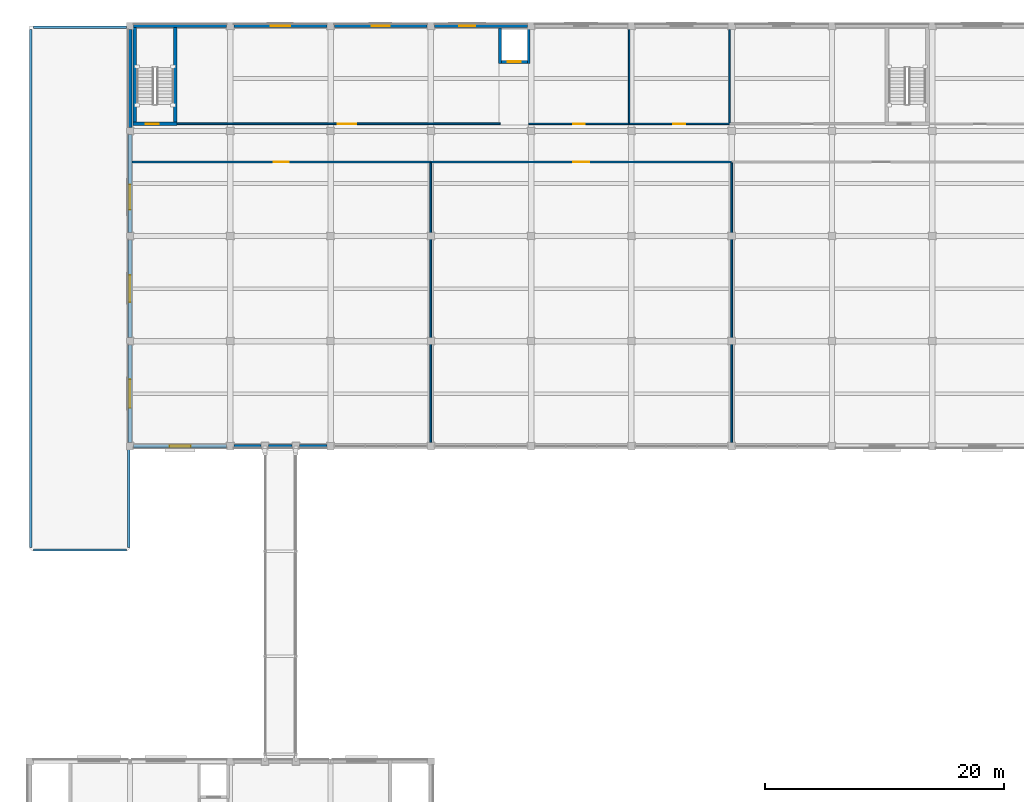
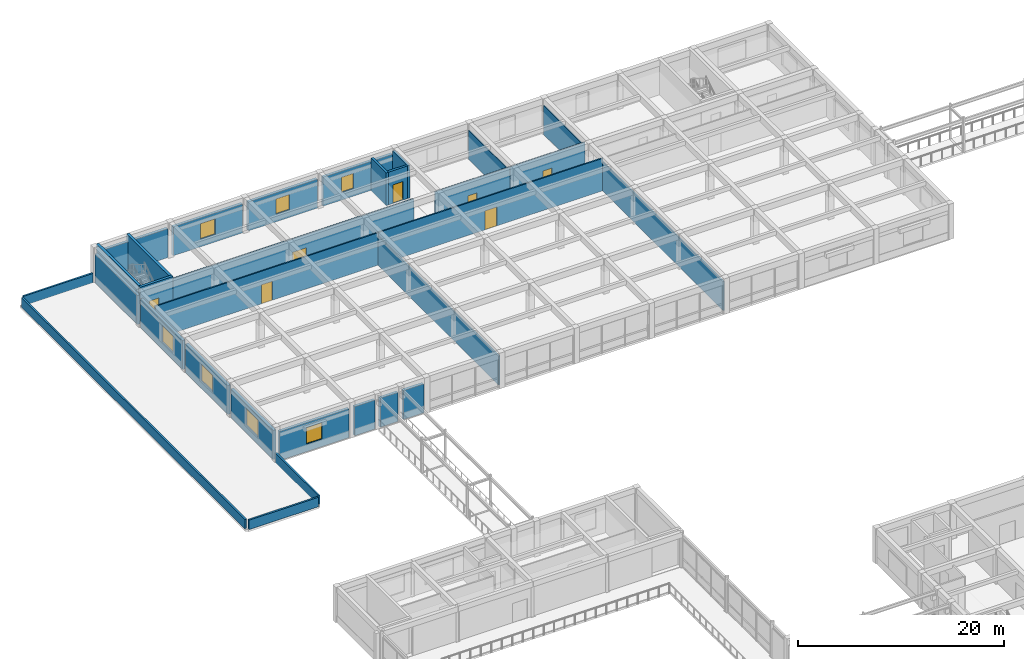
# One storey, part 36 of 57: 31 walls, 7 doors, 7 windows, 14 openings.
"""IFC4 building model written with IfcOpenShell, lengths in metres."""

from ifc_helpers import new_model, si_unit, direction, frame, frame_2d, origin, place, context, subcontext, project, spatial, rectangle, extrude, material, layer, layer_set, type_object, element, fill, save


model = new_model("IFC4")

# Units and contexts
model_context = context("Model", 3, precision=1e-05, world=origin(), true_north=direction((0.0, 1.0)))
body_context = subcontext(model_context, "Body", "Model", "MODEL_VIEW")
ifc_project = project(units=[si_unit("LENGTHUNIT", "METRE"), si_unit("AREAUNIT", "SQUARE_METRE"), si_unit("VOLUMEUNIT", "CUBIC_METRE"), si_unit("PLANEANGLEUNIT", "RADIAN"), si_unit("MASSUNIT", "GRAM", prefix="KILO")], contexts=[model_context])

# Site, building, storey
site_placement = place(None, origin())
site = spatial("IfcSite", under=ifc_project, at=site_placement, CompositionType="ELEMENT")
building_placement = place(site_placement, origin())
building = spatial("IfcBuilding", under=site, at=building_placement, Name="Kemercrest Conservatory and Botanical Centre", CompositionType="ELEMENT")
storey_placement = place(building_placement, frame((0.0, 0.0, 4.800048828125)))
storey = spatial("IfcBuildingStorey", under=building, at=storey_placement, Name="L01", CompositionType="ELEMENT", Elevation=4.800048828125)

# Wall
ifc_material_1 = material(Name="Precast concrete C40/50", Category="concrete")
ifc_layer_1 = layer(ifc_material_1, 0.300048828125)
ifc_layer_set_1 = layer_set([ifc_layer_1], Name="Precast concrete C40/50")
wall_type_1 = type_object("IfcWallType", Name="CW-EXT300", PredefinedType="SHEAR", material=ifc_layer_set_1)
wall_1_placement = place(storey_placement, frame((24.489990234375, 122.39990234375, 0.0), z_axis=(0.0, 0.0, 1.0), x_axis=(-1.0, 0.0, 0.0)))
element("IfcWall", 1, at=wall_1_placement, inside=storey, type_object=wall_type_1, Name="Exterior stair-core shear wall CW-EXT300 (WAL:L01:EXT-112)", PredefinedType="SHEAR", context=body_context, shape_type="SweptSolid", body=[
    extrude(rectangle(XDim=7.780029296875, YDim=0.300048828125, at=frame_2d((3.89013671875, 0.0))), origin(), (0.0, 0.0, 1.0), 3.449951171875),
])

# Wall, opening, door
ifc_material_2 = material(Name="Concrete C50/60", Category="concrete")
ifc_layer_2 = layer(ifc_material_2, 0.300048828125)
ifc_layer_set_2 = layer_set([ifc_layer_2], Name="Concrete C50/60")
wall_type_2 = type_object("IfcWallType", Name="CW-STAIR", PredefinedType="SHEAR", material=ifc_layer_set_2)
wall_2_placement = place(storey_placement, frame((16.64990234375, 114.199951171875, 0.0), z_axis=(0.0, 0.0, 1.0), x_axis=(1.0, 0.0, 0.0)))
wall_2 = element("IfcWall", 2, at=wall_2_placement, inside=storey, type_object=wall_type_2, Name="Stair core ST-V3A shear wall S", PredefinedType="SHEAR", context=body_context, shape_type="SweptSolid", body=[
    extrude(rectangle(XDim=3.7001953125, YDim=0.300048828125, at=frame_2d((1.85009765625, 0.0))), origin(), (0.0, 0.0, 1.0), 4.199951171875),
])
opening_1_placement = place(wall_2_placement, frame((1.050048828125, 0.0, 0.0)))
opening_1 = element("IfcOpeningElement", 3, at=opening_1_placement, cuts=wall_2, Name="Opening D017", PredefinedType="OPENING", context=body_context, shape_type="SweptSolid", body=[
    extrude(rectangle(XDim=1.10009765625, YDim=2.199951171875, at=frame_2d((0.550048828125, 1.10009765625))), frame((0.0, 0.16015625, 0.0), z_axis=(0.0, -1.0, 0.0), x_axis=(1.0, 0.0, 0.0)), (0.0, 0.0, 1.0), 0.320068359375),
])
ifc_material_3 = material(Name="Powder-coated galvanized steel and fire-rated vision glass", Category="steel")
door_type_1 = type_object("IfcDoorType", Name="DT-FD90", OperationType="NOTDEFINED", PredefinedType="DOOR", material=ifc_material_3)
door_1_placement = place(opening_1_placement, origin())
door_1 = element("IfcDoor", 4, at=door_1_placement, inside=storey, type_object=door_type_1, Name="Exit stair ST-V3A fire door D017", OperationType="SINGLE_SWING_LEFT", OverallHeight=2.199951171875, OverallWidth=1.10009765625, PredefinedType="DOOR", context=body_context, shape_type="SweptSolid", body=[
    extrude(rectangle(XDim=1.10009765625, YDim=2.199951171875, at=frame_2d((0.550048828125, 1.10009765625))), frame((0.0, 0.02490234375, 0.0), z_axis=(0.0, -1.0, 0.0), x_axis=(1.0, 0.0, 0.0)), (0.0, 0.0, 1.0), 0.050048828125),
])
fill(opening_1, door_1)

# Walls
for number, where, z_axis, x_axis, name in (
    (5, (16.800048828125, 114.050048828125, 0.0), (0.0, 0.0, 1.0), (0.0, 1.0, 0.0), "Stair core ST-V3A shear wall W"),
    (6, (20.199951171875, 114.050048828125, 0.0), (0.0, 0.0, 1.0), (0.0, 1.0, 0.0), "Stair core ST-V3A shear wall E"),
):
    element("IfcWall", number, at=place(storey_placement, frame(where, z_axis=z_axis, x_axis=x_axis)), inside=storey, type_object=wall_type_2, Name=name, PredefinedType="SHEAR", context=body_context, shape_type="SweptSolid", body=[
        extrude(rectangle(XDim=8.5, YDim=0.300048828125, at=frame_2d((4.25, 0.0))), origin(), (0.0, 0.0, 1.0), 4.199951171875),
    ])

# Wall, opening, window
ifc_layer_3 = layer(ifc_material_1, 0.300048828125)
ifc_layer_set_3 = layer_set([ifc_layer_3], Name="Precast concrete C40/50")
wall_type_3 = type_object("IfcWallType", Name="W-EXT300", PredefinedType="SOLIDWALL", material=ifc_layer_set_3)
wall_3_placement = place(storey_placement, frame((16.7099609375, 87.199951171875, 0.0), z_axis=(0.0, 0.0, 1.0), x_axis=(1.0, 0.0, 0.0)))
wall_3 = element("IfcWall", 7, at=wall_3_placement, inside=storey, type_object=wall_type_3, Name="Exterior almasik wall W-EXT300 (WAL:L01:EXT-096)", PredefinedType="SOLIDWALL", context=body_context, shape_type="SweptSolid", body=[
    extrude(rectangle(XDim=7.780029296875, YDim=0.300048828125, at=frame_2d((3.89013671875, 0.0))), origin(), (0.0, 0.0, 1.0), 3.449951171875),
])
opening_2_placement = place(wall_3_placement, frame((3.010009765625, 0.0, 0.89990234375)))
opening_2 = element("IfcOpeningElement", 8, at=opening_2_placement, cuts=wall_3, Name="Opening WT-49", PredefinedType="OPENING", context=body_context, shape_type="SweptSolid", body=[
    extrude(rectangle(XDim=1.760009765625, YDim=1.93994140625, at=frame_2d((0.8798828125, 0.969970703125))), frame((0.0, 0.16015625, 0.0), z_axis=(0.0, -1.0, 0.0), x_axis=(1.0, 0.0, 0.0)), (0.0, 0.0, 1.0), 0.320068359375),
])
ifc_material_4 = material(Name="Thermally broken bronze-anodized aluminium and triple glazing", Category="aluminium")
window_type_1 = type_object("IfcWindowType", Name="WT-49", PartitioningType="SINGLE_PANEL", PredefinedType="WINDOW", material=ifc_material_4)
window_1_placement = place(opening_2_placement, origin())
window_1 = element("IfcWindow", 9, at=window_1_placement, inside=storey, type_object=window_type_1, Name="Exterior window WT-49 (WIN:L01:EXT-096)", OverallHeight=1.93994140625, OverallWidth=1.760009765625, PartitioningType="SINGLE_PANEL", PredefinedType="WINDOW", context=body_context, shape_type="SweptSolid", body=[
    extrude(rectangle(XDim=1.760009765625, YDim=1.93994140625, at=frame_2d((0.8798828125, 0.969970703125))), frame((0.0, 0.030029296875, 0.0), z_axis=(0.0, -1.0, 0.0), x_axis=(1.0, 0.0, 0.0)), (0.0, 0.0, 1.0), 0.06005859375),
])
fill(opening_2, window_1)

# Walls
wall_4_placement = place(storey_placement, frame((25.110107421875, 87.199951171875, 0.0), z_axis=(0.0, 0.0, 1.0), x_axis=(1.0, 0.0, 0.0)))
element("IfcWall", 10, at=wall_4_placement, inside=storey, type_object=wall_type_3, Name="Exterior almasik wall W-EXT300 (WAL:L01:EXT-097-S1)", PredefinedType="SOLIDWALL", context=body_context, shape_type="SweptSolid", body=[
    extrude(rectangle(XDim=2.27978515625, YDim=0.300048828125, at=frame_2d((1.139892578125, 0.0))), origin(), (0.0, 0.0, 1.0), 3.449951171875),
])
wall_5_placement = place(storey_placement, frame((28.010009765625, 87.199951171875, 0.0), z_axis=(0.0, 0.0, 1.0), x_axis=(1.0, 0.0, 0.0)))
element("IfcWall", 11, at=wall_5_placement, inside=storey, type_object=wall_type_3, Name="Exterior almasik wall W-EXT300 (WAL:L01:EXT-097-S2)", PredefinedType="SOLIDWALL", context=body_context, shape_type="SweptSolid", body=[
    extrude(rectangle(XDim=1.97998046875, YDim=0.300048828125, at=frame_2d((0.989990234375, 0.0))), origin(), (0.0, 0.0, 1.0), 3.449951171875),
])
wall_6_placement = place(storey_placement, frame((30.610107421875, 87.199951171875, 0.0), z_axis=(0.0, 0.0, 1.0), x_axis=(1.0, 0.0, 0.0)))
element("IfcWall", 12, at=wall_6_placement, inside=storey, type_object=wall_type_3, Name="Exterior almasik wall W-EXT300 (WAL:L01:EXT-097-S3)", PredefinedType="SOLIDWALL", context=body_context, shape_type="SweptSolid", body=[
    extrude(rectangle(XDim=2.27978515625, YDim=0.300048828125, at=frame_2d((1.139892578125, 0.0))), origin(), (0.0, 0.0, 1.0), 3.449951171875),
])

# Wall, opening, window
wall_7_placement = place(storey_placement, frame((49.68994140625, 122.39990234375, 0.0), z_axis=(0.0, 0.0, 1.0), x_axis=(-1.0, 0.0, 0.0)))
wall_7 = element("IfcWall", 13, at=wall_7_placement, inside=storey, type_object=wall_type_3, Name="Exterior almasik wall W-EXT300 (WAL:L01:EXT-109)", PredefinedType="SOLIDWALL", context=body_context, shape_type="SweptSolid", body=[
    extrude(rectangle(XDim=7.780029296875, YDim=0.300048828125, at=frame_2d((3.89013671875, 0.0))), origin(), (0.0, 0.0, 1.0), 3.449951171875),
])
opening_3_placement = place(wall_7_placement, frame((4.360107421875, 0.0, 0.89990234375)))
opening_3 = element("IfcOpeningElement", 14, at=opening_3_placement, cuts=wall_7, Name="Opening WT-02", PredefinedType="OPENING", context=body_context, shape_type="SweptSolid", body=[
    extrude(rectangle(XDim=1.35009765625, YDim=1.800048828125, at=frame_2d((0.675048828125, 0.89990234375))), frame((0.0, 0.16015625, 0.0), z_axis=(0.0, -1.0, 0.0), x_axis=(1.0, 0.0, 0.0)), (0.0, 0.0, 1.0), 0.320068359375),
])
window_type_2 = type_object("IfcWindowType", Name="WT-02", PartitioningType="SINGLE_PANEL", PredefinedType="WINDOW", material=ifc_material_4)
window_2_placement = place(opening_3_placement, origin())
window_2 = element("IfcWindow", 15, at=window_2_placement, inside=storey, type_object=window_type_2, Name="Exterior window WT-02 (WIN:L01:EXT-109)", OverallHeight=1.800048828125, OverallWidth=1.35009765625, PartitioningType="SINGLE_PANEL", PredefinedType="WINDOW", context=body_context, shape_type="SweptSolid", body=[
    extrude(rectangle(XDim=1.35009765625, YDim=1.800048828125, at=frame_2d((0.675048828125, 0.89990234375))), frame((0.0, 0.030029296875, 0.0), z_axis=(0.0, -1.0, 0.0), x_axis=(1.0, 0.0, 0.0)), (0.0, 0.0, 1.0), 0.06005859375),
])
fill(opening_3, window_2)

wall_8_placement = place(storey_placement, frame((41.2900390625, 122.39990234375, 0.0), z_axis=(0.0, 0.0, 1.0), x_axis=(-1.0, 0.0, 0.0)))
wall_8 = element("IfcWall", 16, at=wall_8_placement, inside=storey, type_object=wall_type_3, Name="Exterior almasik wall W-EXT300 (WAL:L01:EXT-110)", PredefinedType="SOLIDWALL", context=body_context, shape_type="SweptSolid", body=[
    extrude(rectangle(XDim=7.780029296875, YDim=0.300048828125, at=frame_2d((3.89013671875, 0.0))), origin(), (0.0, 0.0, 1.0), 3.449951171875),
])
opening_4_placement = place(wall_8_placement, frame((3.139892578125, 0.0, 0.89990234375)))
opening_4 = element("IfcOpeningElement", 17, at=opening_4_placement, cuts=wall_8, Name="Opening WT-03", PredefinedType="OPENING", context=body_context, shape_type="SweptSolid", body=[
    extrude(rectangle(XDim=1.5, YDim=1.800048828125, at=frame_2d((0.75, 0.89990234375))), frame((0.0, 0.16015625, 0.0), z_axis=(0.0, -1.0, 0.0), x_axis=(1.0, 0.0, 0.0)), (0.0, 0.0, 1.0), 0.320068359375),
])
window_type_3 = type_object("IfcWindowType", Name="WT-03", PartitioningType="SINGLE_PANEL", PredefinedType="WINDOW", material=ifc_material_4)
window_3_placement = place(opening_4_placement, origin())
window_3 = element("IfcWindow", 18, at=window_3_placement, inside=storey, type_object=window_type_3, Name="Exterior window WT-03 (WIN:L01:EXT-110)", OverallHeight=1.800048828125, OverallWidth=1.5, PartitioningType="SINGLE_PANEL", PredefinedType="WINDOW", context=body_context, shape_type="SweptSolid", body=[
    extrude(rectangle(XDim=1.5, YDim=1.800048828125, at=frame_2d((0.75, 0.89990234375))), frame((0.0, 0.030029296875, 0.0), z_axis=(0.0, -1.0, 0.0), x_axis=(1.0, 0.0, 0.0)), (0.0, 0.0, 1.0), 0.06005859375),
])
fill(opening_4, window_3)

wall_9_placement = place(storey_placement, frame((32.889892578125, 122.39990234375, 0.0), z_axis=(0.0, 0.0, 1.0), x_axis=(-1.0, 0.0, 0.0)))
wall_9 = element("IfcWall", 19, at=wall_9_placement, inside=storey, type_object=wall_type_3, Name="Exterior almasik wall W-EXT300 (WAL:L01:EXT-111)", PredefinedType="SOLIDWALL", context=body_context, shape_type="SweptSolid", body=[
    extrude(rectangle(XDim=7.77978515625, YDim=0.300048828125, at=frame_2d((3.889892578125, 0.0))), origin(), (0.0, 0.0, 1.0), 3.449951171875),
])
opening_5_placement = place(wall_9_placement, frame((3.06494140625, 0.0, 0.89990234375)))
opening_5 = element("IfcOpeningElement", 20, at=opening_5_placement, cuts=wall_9, Name="Opening WT-04", PredefinedType="OPENING", context=body_context, shape_type="SweptSolid", body=[
    extrude(rectangle(XDim=1.64990234375, YDim=1.85009765625, at=frame_2d((0.824951171875, 0.925048828125))), frame((0.0, 0.16015625, 0.0), z_axis=(0.0, -1.0, 0.0), x_axis=(1.0, 0.0, 0.0)), (0.0, 0.0, 1.0), 0.320068359375),
])
window_type_4 = type_object("IfcWindowType", Name="WT-04", PartitioningType="SINGLE_PANEL", PredefinedType="WINDOW", material=ifc_material_4)
window_4_placement = place(opening_5_placement, origin())
window_4 = element("IfcWindow", 21, at=window_4_placement, inside=storey, type_object=window_type_4, Name="Exterior window WT-04 (WIN:L01:EXT-111)", OverallHeight=1.85009765625, OverallWidth=1.64990234375, PartitioningType="SINGLE_PANEL", PredefinedType="WINDOW", context=body_context, shape_type="SweptSolid", body=[
    extrude(rectangle(XDim=1.64990234375, YDim=1.85009765625, at=frame_2d((0.824951171875, 0.925048828125))), frame((0.0, 0.030029296875, 0.0), z_axis=(0.0, -1.0, 0.0), x_axis=(1.0, 0.0, 0.0)), (0.0, 0.0, 1.0), 0.06005859375),
])
fill(opening_5, window_4)

# Wall
wall_10_placement = place(storey_placement, frame((16.39990234375, 122.090087890625, 0.0), z_axis=(0.0, 0.0, 1.0), x_axis=(0.0, -1.0, 0.0)))
element("IfcWall", 22, at=wall_10_placement, inside=storey, type_object=wall_type_3, Name="Exterior almasik wall W-EXT300 (WAL:L01:EXT-113)", PredefinedType="SOLIDWALL", context=body_context, shape_type="SweptSolid", body=[
    extrude(rectangle(XDim=8.18017578125, YDim=0.300048828125, at=frame_2d((4.090087890625, 0.0))), origin(), (0.0, 0.0, 1.0), 3.449951171875),
])

# Wall, opening, window
wall_11_placement = place(storey_placement, frame((16.39990234375, 113.2900390625, 0.0), z_axis=(0.0, 0.0, 1.0), x_axis=(0.0, -1.0, 0.0)))
wall_11 = element("IfcWall", 23, at=wall_11_placement, inside=storey, type_object=wall_type_3, Name="Exterior almasik wall W-EXT300 (WAL:L01:EXT-114)", PredefinedType="SOLIDWALL", context=body_context, shape_type="SweptSolid", body=[
    extrude(rectangle(XDim=8.179931640625, YDim=0.300048828125, at=frame_2d((4.08984375, 0.0))), origin(), (0.0, 0.0, 1.0), 3.449951171875),
])
opening_6_placement = place(wall_11_placement, frame((4.18505859375, 0.0, 0.89990234375)))
opening_6 = element("IfcOpeningElement", 24, at=opening_6_placement, cuts=wall_11, Name="Opening WT-07", PredefinedType="OPENING", context=body_context, shape_type="SweptSolid", body=[
    extrude(rectangle(XDim=2.10009765625, YDim=1.949951171875, at=frame_2d((1.050048828125, 0.97509765625))), frame((0.0, 0.16015625, 0.0), z_axis=(0.0, -1.0, 0.0), x_axis=(1.0, 0.0, 0.0)), (0.0, 0.0, 1.0), 0.320068359375),
])
window_type_5 = type_object("IfcWindowType", Name="WT-07", PartitioningType="SINGLE_PANEL", PredefinedType="WINDOW", material=ifc_material_4)
window_5_placement = place(opening_6_placement, origin())
window_5 = element("IfcWindow", 25, at=window_5_placement, inside=storey, type_object=window_type_5, Name="Exterior window WT-07 (WIN:L01:EXT-114)", OverallHeight=1.949951171875, OverallWidth=2.10009765625, PartitioningType="SINGLE_PANEL", PredefinedType="WINDOW", context=body_context, shape_type="SweptSolid", body=[
    extrude(rectangle(XDim=2.10009765625, YDim=1.949951171875, at=frame_2d((1.050048828125, 0.97509765625))), frame((0.0, 0.030029296875, 0.0), z_axis=(0.0, -1.0, 0.0), x_axis=(1.0, 0.0, 0.0)), (0.0, 0.0, 1.0), 0.06005859375),
])
fill(opening_6, window_5)

wall_12_placement = place(storey_placement, frame((16.39990234375, 104.489990234375, 0.0), z_axis=(0.0, 0.0, 1.0), x_axis=(0.0, -1.0, 0.0)))
wall_12 = element("IfcWall", 26, at=wall_12_placement, inside=storey, type_object=wall_type_3, Name="Exterior almasik wall W-EXT300 (WAL:L01:EXT-115)", PredefinedType="SOLIDWALL", context=body_context, shape_type="SweptSolid", body=[
    extrude(rectangle(XDim=8.179931640625, YDim=0.300048828125, at=frame_2d((4.08984375, 0.0))), origin(), (0.0, 0.0, 1.0), 3.449951171875),
])
opening_7_placement = place(wall_12_placement, frame((2.965087890625, 0.0, 0.89990234375)))
opening_7 = element("IfcOpeningElement", 27, at=opening_7_placement, cuts=wall_12, Name="Opening WT-08", PredefinedType="OPENING", context=body_context, shape_type="SweptSolid", body=[
    extrude(rectangle(XDim=2.25, YDim=1.949951171875, at=frame_2d((1.125, 0.97509765625))), frame((0.0, 0.16015625, 0.0), z_axis=(0.0, -1.0, 0.0), x_axis=(1.0, 0.0, 0.0)), (0.0, 0.0, 1.0), 0.320068359375),
])
window_type_6 = type_object("IfcWindowType", Name="WT-08", PartitioningType="SINGLE_PANEL", PredefinedType="WINDOW", material=ifc_material_4)
window_6_placement = place(opening_7_placement, origin())
window_6 = element("IfcWindow", 28, at=window_6_placement, inside=storey, type_object=window_type_6, Name="Exterior window WT-08 (WIN:L01:EXT-115)", OverallHeight=1.949951171875, OverallWidth=2.25, PartitioningType="SINGLE_PANEL", PredefinedType="WINDOW", context=body_context, shape_type="SweptSolid", body=[
    extrude(rectangle(XDim=2.25, YDim=1.949951171875, at=frame_2d((1.125, 0.97509765625))), frame((0.0, 0.030029296875, 0.0), z_axis=(0.0, -1.0, 0.0), x_axis=(1.0, 0.0, 0.0)), (0.0, 0.0, 1.0), 0.06005859375),
])
fill(opening_7, window_6)

wall_13_placement = place(storey_placement, frame((16.39990234375, 95.68994140625, 0.0), z_axis=(0.0, 0.0, 1.0), x_axis=(0.0, -1.0, 0.0)))
wall_13 = element("IfcWall", 29, at=wall_13_placement, inside=storey, type_object=wall_type_3, Name="Exterior almasik wall W-EXT300 (WAL:L01:EXT-116)", PredefinedType="SOLIDWALL", context=body_context, shape_type="SweptSolid", body=[
    extrude(rectangle(XDim=8.179931640625, YDim=0.300048828125, at=frame_2d((4.08984375, 0.0))), origin(), (0.0, 0.0, 1.0), 3.449951171875),
])
opening_8_placement = place(wall_13_placement, frame((2.889892578125, 0.0, 0.89990234375)))
opening_8 = element("IfcOpeningElement", 30, at=opening_8_placement, cuts=wall_13, Name="Opening WT-09", PredefinedType="OPENING", context=body_context, shape_type="SweptSolid", body=[
    extrude(rectangle(XDim=2.39990234375, YDim=2.0, at=frame_2d((1.199951171875, 1.0))), frame((0.0, 0.16015625, 0.0), z_axis=(0.0, -1.0, 0.0), x_axis=(1.0, 0.0, 0.0)), (0.0, 0.0, 1.0), 0.320068359375),
])
window_type_7 = type_object("IfcWindowType", Name="WT-09", PartitioningType="SINGLE_PANEL", PredefinedType="WINDOW", material=ifc_material_4)
window_7_placement = place(opening_8_placement, origin())
window_7 = element("IfcWindow", 31, at=window_7_placement, inside=storey, type_object=window_type_7, Name="Exterior window WT-09 (WIN:L01:EXT-116)", OverallHeight=2.0, OverallWidth=2.39990234375, PartitioningType="SINGLE_PANEL", PredefinedType="WINDOW", context=body_context, shape_type="SweptSolid", body=[
    extrude(rectangle(XDim=2.39990234375, YDim=2.0, at=frame_2d((1.199951171875, 1.0))), frame((0.0, 0.030029296875, 0.0), z_axis=(0.0, -1.0, 0.0), x_axis=(1.0, 0.0, 0.0)), (0.0, 0.0, 1.0), 0.06005859375),
])
fill(opening_8, window_7)

# Walls
ifc_layer_4 = layer(ifc_material_1, 0.199951171875)
ifc_layer_set_4 = layer_set([ifc_layer_4], Name="Precast concrete C40/50")
wall_type_4 = type_object("IfcWallType", Name="W-PAR200", PredefinedType="PARAPET", material=ifc_layer_set_4)
wall_14_placement = place(storey_placement, frame((16.300048828125, 87.10009765625, 0.0), z_axis=(0.0, 0.0, 1.0), x_axis=(0.0, -1.0, 0.0)))
element("IfcWall", 32, at=wall_14_placement, inside=storey, type_object=wall_type_4, Name="V3-RMP roof perimeter parapet #1", PredefinedType="PARAPET", context=body_context, shape_type="SweptSolid", body=[
    extrude(rectangle(XDim=8.400146484375, YDim=0.199951171875, at=frame_2d((4.2001953125, 0.0))), origin(), (0.0, 0.0, 1.0), 1.119873046875),
])
wall_15_placement = place(storey_placement, frame((16.10009765625, 78.5, 0.0), z_axis=(0.0, 0.0, 1.0), x_axis=(-1.0, 0.0, 0.0)))
element("IfcWall", 33, at=wall_15_placement, inside=storey, type_object=wall_type_4, Name="V3-RMP roof perimeter parapet #2", PredefinedType="PARAPET", context=body_context, shape_type="SweptSolid", body=[
    extrude(rectangle(XDim=7.800048828125, YDim=0.199951171875, at=frame_2d((3.89990234375, 0.0))), origin(), (0.0, 0.0, 1.0), 1.119873046875),
])
wall_16_placement = place(storey_placement, frame((8.10009765625, 78.699951171875, 0.0), z_axis=(0.0, 0.0, 1.0), x_axis=(0.0, 1.0, 0.0)))
element("IfcWall", 34, at=wall_16_placement, inside=storey, type_object=wall_type_4, Name="V3-RMP roof perimeter parapet #3", PredefinedType="PARAPET", context=body_context, shape_type="SweptSolid", body=[
    extrude(rectangle(XDim=43.400146484375, YDim=0.199951171875, at=frame_2d((21.7001953125, 0.0))), origin(), (0.0, 0.0, 1.0), 1.119873046875),
])
wall_17_placement = place(storey_placement, frame((8.300048828125, 122.300048828125, 0.0), z_axis=(0.0, 0.0, 1.0), x_axis=(1.0, 0.0, 0.0)))
element("IfcWall", 35, at=wall_17_placement, inside=storey, type_object=wall_type_4, Name="V3-RMP roof perimeter parapet #4", PredefinedType="PARAPET", context=body_context, shape_type="SweptSolid", body=[
    extrude(rectangle(XDim=7.800048828125, YDim=0.199951171875, at=frame_2d((3.89990234375, 0.0))), origin(), (0.0, 0.0, 1.0), 1.119873046875),
])

# Wall, opening, door
ifc_material_5 = material(Name="Moisture-resistant gypsum board partition", Category="gypsum")
ifc_layer_5 = layer(ifc_material_5, 0.125)
ifc_layer_set_5 = layer_set([ifc_layer_5], Name="Moisture-resistant gypsum board partition")
wall_type_5 = type_object("IfcWallType", Name="W-PART125", PredefinedType="PARTITIONING", material=ifc_layer_set_5)
wall_18_placement = place(storey_placement, frame((49.800048828125, 114.199951171875, 0.0), z_axis=(0.0, 0.0, 1.0), x_axis=(1.0, 0.0, 0.0)))
wall_18 = element("IfcWall", 36, at=wall_18_placement, inside=storey, type_object=wall_type_5, Name="Interior partition W-PART125 #75", PredefinedType="PARTITIONING", context=body_context, shape_type="SweptSolid", body=[
    extrude(rectangle(XDim=8.39990234375, YDim=0.125, at=frame_2d((4.199951171875, 0.0))), origin(), (0.0, 0.0, 1.0), 3.864990234375),
])
opening_9_placement = place(wall_18_placement, frame((3.7099609375, 0.0, 0.0)))
opening_9 = element("IfcOpeningElement", 37, at=opening_9_placement, cuts=wall_18, Name="Opening D151", PredefinedType="OPENING", context=body_context, shape_type="SweptSolid", body=[
    extrude(rectangle(XDim=0.97998046875, YDim=2.10009765625, at=frame_2d((0.489990234375, 1.050048828125))), frame((0.0, 0.072509765625, 0.0), z_axis=(0.0, -1.0, 0.0), x_axis=(1.0, 0.0, 0.0)), (0.0, 0.0, 1.0), 0.14501953125),
])
ifc_material_6 = material(Name="FSC solid-core white oak veneer and anodized aluminium frame", Category="aluminium")
door_type_2 = type_object("IfcDoorType", Name="DT-02", OperationType="NOTDEFINED", PredefinedType="DOOR", material=ifc_material_6)
door_2_placement = place(opening_9_placement, origin())
door_2 = element("IfcDoor", 38, at=door_2_placement, inside=storey, type_object=door_type_2, Name="Public Washroom door D151", OperationType="SINGLE_SWING_LEFT", OverallHeight=2.10009765625, OverallWidth=0.97998046875, PredefinedType="DOOR", context=body_context, shape_type="SweptSolid", body=[
    extrude(rectangle(XDim=0.97998046875, YDim=2.10009765625, at=frame_2d((0.489990234375, 1.050048828125))), frame((0.0, 0.02490234375, 0.0), z_axis=(0.0, -1.0, 0.0), x_axis=(1.0, 0.0, 0.0)), (0.0, 0.0, 1.0), 0.050048828125),
])
fill(opening_9, door_2)

wall_19_placement = place(storey_placement, frame((58.199951171875, 114.199951171875, 0.0), z_axis=(0.0, 0.0, 1.0), x_axis=(1.0, 0.0, 0.0)))
wall_19 = element("IfcWall", 39, at=wall_19_placement, inside=storey, type_object=wall_type_5, Name="Interior partition W-PART125 #76", PredefinedType="PARTITIONING", context=body_context, shape_type="SweptSolid", body=[
    extrude(rectangle(XDim=8.400146484375, YDim=0.125, at=frame_2d((4.2001953125, 0.0))), origin(), (0.0, 0.0, 1.0), 3.864990234375),
])
opening_10_placement = place(wall_19_placement, frame((3.7099609375, 0.0, 0.0)))
opening_10 = element("IfcOpeningElement", 40, at=opening_10_placement, cuts=wall_19, Name="Opening D152", PredefinedType="OPENING", context=body_context, shape_type="SweptSolid", body=[
    extrude(rectangle(XDim=0.97998046875, YDim=2.10009765625, at=frame_2d((0.489990234375, 1.050048828125))), frame((0.0, 0.072509765625, 0.0), z_axis=(0.0, -1.0, 0.0), x_axis=(1.0, 0.0, 0.0)), (0.0, 0.0, 1.0), 0.14501953125),
])
door_3_placement = place(opening_10_placement, origin())
door_3 = element("IfcDoor", 41, at=door_3_placement, inside=storey, type_object=door_type_2, Name="Accessible Washroom door D152", OperationType="SINGLE_SWING_RIGHT", OverallHeight=2.10009765625, OverallWidth=0.97998046875, PredefinedType="DOOR", context=body_context, shape_type="SweptSolid", body=[
    extrude(rectangle(XDim=0.97998046875, YDim=2.10009765625, at=frame_2d((0.489990234375, 1.050048828125))), frame((0.0, 0.02490234375, 0.0), z_axis=(0.0, -1.0, 0.0), x_axis=(1.0, 0.0, 0.0)), (0.0, 0.0, 1.0), 0.050048828125),
])
fill(opening_10, door_3)

# Walls
wall_20_placement = place(storey_placement, frame((58.199951171875, 114.267578125, 0.0), z_axis=(0.0, 0.0, 1.0), x_axis=(0.0, 1.0, 0.0)))
element("IfcWall", 42, at=wall_20_placement, inside=storey, type_object=wall_type_5, Name="Interior partition W-PART125 #95", PredefinedType="PARTITIONING", context=body_context, shape_type="SweptSolid", body=[
    extrude(rectangle(XDim=7.83251953125, YDim=0.125, at=frame_2d((3.916259765625, 0.0))), origin(), (0.0, 0.0, 1.0), 3.445068359375),
])
wall_21_placement = place(storey_placement, frame((66.60009765625, 114.280029296875, 0.0), z_axis=(0.0, 0.0, 1.0), x_axis=(0.0, 1.0, 0.0)))
element("IfcWall", 43, at=wall_21_placement, inside=storey, type_object=wall_type_5, Name="Interior partition W-PART125 #96", PredefinedType="PARTITIONING", context=body_context, shape_type="SweptSolid", body=[
    extrude(rectangle(XDim=7.820068359375, YDim=0.125, at=frame_2d((3.91015625, 0.0))), origin(), (0.0, 0.0, 1.0), 3.445068359375),
])

# Wall, opening, door
ifc_material_7 = material(Name="Steel-stud gypsum board partition", Category="steel")
ifc_layer_6 = layer(ifc_material_7, 0.14990234375)
ifc_layer_set_6 = layer_set([ifc_layer_6], Name="Steel-stud gypsum board partition")
wall_type_6 = type_object("IfcWallType", Name="W-PART150", PredefinedType="PARTITIONING", material=ifc_layer_set_6)
wall_22_placement = place(storey_placement, frame((16.554931640625, 111.0, 0.0), z_axis=(0.0, 0.0, 1.0), x_axis=(1.0, 0.0, 0.0)))
wall_22 = element("IfcWall", 44, at=wall_22_placement, inside=storey, type_object=wall_type_6, Name="Interior partition W-PART150 #71", PredefinedType="PARTITIONING", context=body_context, shape_type="SweptSolid", body=[
    extrude(rectangle(XDim=25.045166015625, YDim=0.14990234375, at=frame_2d((12.5224609375, 0.0))), origin(), (0.0, 0.0, 1.0), 3.864990234375),
])
opening_11_placement = place(wall_22_placement, frame((11.902587890625, 0.0, 0.0)))
opening_11 = element("IfcOpeningElement", 45, at=opening_11_placement, cuts=wall_22, Name="Opening D147", PredefinedType="OPENING", context=body_context, shape_type="SweptSolid", body=[
    extrude(rectangle(XDim=1.239990234375, YDim=2.260009765625, at=frame_2d((0.6201171875, 1.1298828125))), frame((0.0, 0.0849609375, 0.0), z_axis=(0.0, -1.0, 0.0), x_axis=(1.0, 0.0, 0.0)), (0.0, 0.0, 1.0), 0.169921875),
])
door_type_3 = type_object("IfcDoorType", Name="DT-27", OperationType="NOTDEFINED", PredefinedType="DOOR", material=ifc_material_6)
door_4_placement = place(opening_11_placement, origin())
door_4 = element("IfcDoor", 46, at=door_4_placement, inside=storey, type_object=door_type_3, Name="Education Studio door D147", OperationType="SINGLE_SWING_LEFT", OverallHeight=2.260009765625, OverallWidth=1.239990234375, PredefinedType="DOOR", context=body_context, shape_type="SweptSolid", body=[
    extrude(rectangle(XDim=1.239990234375, YDim=2.260009765625, at=frame_2d((0.6201171875, 1.1298828125))), frame((0.0, 0.02490234375, 0.0), z_axis=(0.0, -1.0, 0.0), x_axis=(1.0, 0.0, 0.0)), (0.0, 0.0, 1.0), 0.050048828125),
])
fill(opening_11, door_4)

wall_23_placement = place(storey_placement, frame((41.60009765625, 111.0, 0.0), z_axis=(0.0, 0.0, 1.0), x_axis=(1.0, 0.0, 0.0)))
wall_23 = element("IfcWall", 47, at=wall_23_placement, inside=storey, type_object=wall_type_6, Name="Interior partition W-PART150 #72", PredefinedType="PARTITIONING", context=body_context, shape_type="SweptSolid", body=[
    extrude(rectangle(XDim=25.199951171875, YDim=0.14990234375, at=frame_2d((12.60009765625, 0.0))), origin(), (0.0, 0.0, 1.0), 3.864990234375),
])
opening_12_placement = place(wall_23_placement, frame((11.929931640625, 0.0, 0.0)))
opening_12 = element("IfcOpeningElement", 48, at=opening_12_placement, cuts=wall_23, Name="Opening D148", PredefinedType="OPENING", context=body_context, shape_type="SweptSolid", body=[
    extrude(rectangle(XDim=1.340087890625, YDim=2.239990234375, at=frame_2d((0.669921875, 1.1201171875))), frame((0.0, 0.0849609375, 0.0), z_axis=(0.0, -1.0, 0.0), x_axis=(1.0, 0.0, 0.0)), (0.0, 0.0, 1.0), 0.169921875),
])
door_type_4 = type_object("IfcDoorType", Name="DT-28", OperationType="DOUBLE_DOOR_SINGLE_SWING", PredefinedType="DOOR", material=ifc_material_6)
door_5_placement = place(opening_12_placement, origin())
door_5 = element("IfcDoor", 49, at=door_5_placement, inside=storey, type_object=door_type_4, Name="Teaching Classroom door D148", OperationType="DOUBLE_DOOR_SINGLE_SWING", OverallHeight=2.239990234375, OverallWidth=1.340087890625, PredefinedType="DOOR", context=body_context, shape_type="SweptSolid", body=[
    extrude(rectangle(XDim=1.340087890625, YDim=2.239990234375, at=frame_2d((0.669921875, 1.1201171875))), frame((0.0, 0.02490234375, 0.0), z_axis=(0.0, -1.0, 0.0), x_axis=(1.0, 0.0, 0.0)), (0.0, 0.0, 1.0), 0.050048828125),
])
fill(opening_12, door_5)

wall_24_placement = place(storey_placement, frame((20.35498046875, 114.199951171875, 0.0), z_axis=(0.0, 0.0, 1.0), x_axis=(1.0, 0.0, 0.0)))
wall_24 = element("IfcWall", 50, at=wall_24_placement, inside=storey, type_object=wall_type_6, Name="Interior partition W-PART150 #74", PredefinedType="PARTITIONING", context=body_context, shape_type="SweptSolid", body=[
    extrude(rectangle(XDim=27.044921875, YDim=0.14990234375, at=frame_2d((13.5224609375, 0.0))), origin(), (0.0, 0.0, 1.0), 3.864990234375),
])
opening_13_placement = place(wall_24_placement, frame((13.452392578125, 0.0, 0.0)))
opening_13 = element("IfcOpeningElement", 51, at=opening_13_placement, cuts=wall_24, Name="Opening D150", PredefinedType="OPENING", context=body_context, shape_type="SweptSolid", body=[
    extrude(rectangle(XDim=1.5400390625, YDim=2.300048828125, at=frame_2d((0.77001953125, 1.14990234375))), frame((0.0, 0.0849609375, 0.0), z_axis=(0.0, -1.0, 0.0), x_axis=(1.0, 0.0, 0.0)), (0.0, 0.0, 1.0), 0.169921875),
])
door_type_5 = type_object("IfcDoorType", Name="DT-30", OperationType="DOUBLE_DOOR_SINGLE_SWING", PredefinedType="DOOR", material=ifc_material_6)
door_6_placement = place(opening_13_placement, origin())
door_6 = element("IfcDoor", 52, at=door_6_placement, inside=storey, type_object=door_type_5, Name="Community Outreach Classroom door D150", OperationType="DOUBLE_DOOR_SINGLE_SWING", OverallHeight=2.300048828125, OverallWidth=1.5400390625, PredefinedType="DOOR", context=body_context, shape_type="SweptSolid", body=[
    extrude(rectangle(XDim=1.5400390625, YDim=2.300048828125, at=frame_2d((0.77001953125, 1.14990234375))), frame((0.0, 0.02490234375, 0.0), z_axis=(0.0, -1.0, 0.0), x_axis=(1.0, 0.0, 0.0)), (0.0, 0.0, 1.0), 0.050048828125),
])
fill(opening_13, door_6)

# Walls
for number, where, z_axis, x_axis, name in (
    (53, (41.60009765625, 87.5, 0.0), (0.0, 0.0, 1.0), (0.0, 1.0, 0.0), "Interior partition W-PART150 #93"),
    (54, (66.800048828125, 87.5, 0.0), (0.0, 0.0, 1.0), (0.0, 1.0, 0.0), "Interior partition W-PART150 #94"),
):
    element("IfcWall", number, at=place(storey_placement, frame(where, z_axis=z_axis, x_axis=x_axis)), inside=storey, type_object=wall_type_6, Name=name, PredefinedType="PARTITIONING", context=body_context, shape_type="SweptSolid", body=[
        extrude(rectangle(XDim=23.419921875, YDim=0.14990234375, at=frame_2d((11.7099609375, 0.0))), origin(), (0.0, 0.0, 1.0), 3.445068359375),
    ])

# Wall, opening, door
ifc_material_8 = material(Name="Concrete C40/50", Category="concrete")
ifc_layer_7 = layer(ifc_material_8, 0.25)
ifc_layer_set_7 = layer_set([ifc_layer_7], Name="Concrete C40/50")
wall_type_7 = type_object("IfcWallType", Name="W-SHFT250", PredefinedType="SOLIDWALL", material=ifc_layer_set_7)
wall_25_placement = place(storey_placement, frame((47.27490234375, 119.39990234375, 0.0), z_axis=(0.0, 0.0, 1.0), x_axis=(1.0, 0.0, 0.0)))
wall_25 = element("IfcWall", 55, at=wall_25_placement, inside=storey, type_object=wall_type_7, Name="Elevator LF-V3 shaft wall south", PredefinedType="SOLIDWALL", context=body_context, shape_type="SweptSolid", body=[
    extrude(rectangle(XDim=2.650146484375, YDim=0.25, at=frame_2d((1.3251953125, 0.0))), origin(), (0.0, 0.0, 1.0), 3.8798828125),
])
opening_14_placement = place(wall_25_placement, frame((0.77490234375, 0.0, 0.0)))
opening_14 = element("IfcOpeningElement", 56, at=opening_14_placement, cuts=wall_25, Name="Opening LD-102", PredefinedType="OPENING", context=body_context, shape_type="SweptSolid", body=[
    extrude(rectangle(XDim=1.10009765625, YDim=2.199951171875, at=frame_2d((0.550048828125, 1.10009765625))), frame((0.0, 0.135009765625, 0.0), z_axis=(0.0, -1.0, 0.0), x_axis=(1.0, 0.0, 0.0)), (0.0, 0.0, 1.0), 0.27001953125),
])
door_type_6 = type_object("IfcDoorType", Name="DT-LD01", OperationType="SLIDING_TO_LEFT", PredefinedType="DOOR", material=ifc_material_3)
door_7_placement = place(opening_14_placement, origin())
door_7 = element("IfcDoor", 57, at=door_7_placement, inside=storey, type_object=door_type_6, Name="Elevator LF-V3 sliding landing door LD-102", OperationType="SLIDING_TO_LEFT", OverallHeight=2.199951171875, OverallWidth=1.10009765625, PredefinedType="DOOR", context=body_context, shape_type="SweptSolid", body=[
    extrude(rectangle(XDim=1.10009765625, YDim=2.199951171875, at=frame_2d((0.550048828125, 1.10009765625))), frame((0.0, 0.02490234375, 0.0), z_axis=(0.0, -1.0, 0.0), x_axis=(1.0, 0.0, 0.0)), (0.0, 0.0, 1.0), 0.050048828125),
])
fill(opening_14, door_7)

# Walls
for number, where, z_axis, x_axis, name in (
    (58, (47.39990234375, 119.27490234375, 0.0), (0.0, 0.0, 1.0), (0.0, 1.0, 0.0), "Elevator LF-V3 shaft wall west"),
    (59, (49.800048828125, 119.27490234375, 0.0), (0.0, 0.0, 1.0), (0.0, 1.0, 0.0), "Elevator LF-V3 shaft wall east"),
):
    element("IfcWall", number, at=place(storey_placement, frame(where, z_axis=z_axis, x_axis=x_axis)), inside=storey, type_object=wall_type_7, Name=name, PredefinedType="SOLIDWALL", context=body_context, shape_type="SweptSolid", body=[
        extrude(rectangle(XDim=2.9501953125, YDim=0.25, at=frame_2d((1.47509765625, 0.0))), origin(), (0.0, 0.0, 1.0), 3.8798828125),
    ])

save(model, "model.ifc")
